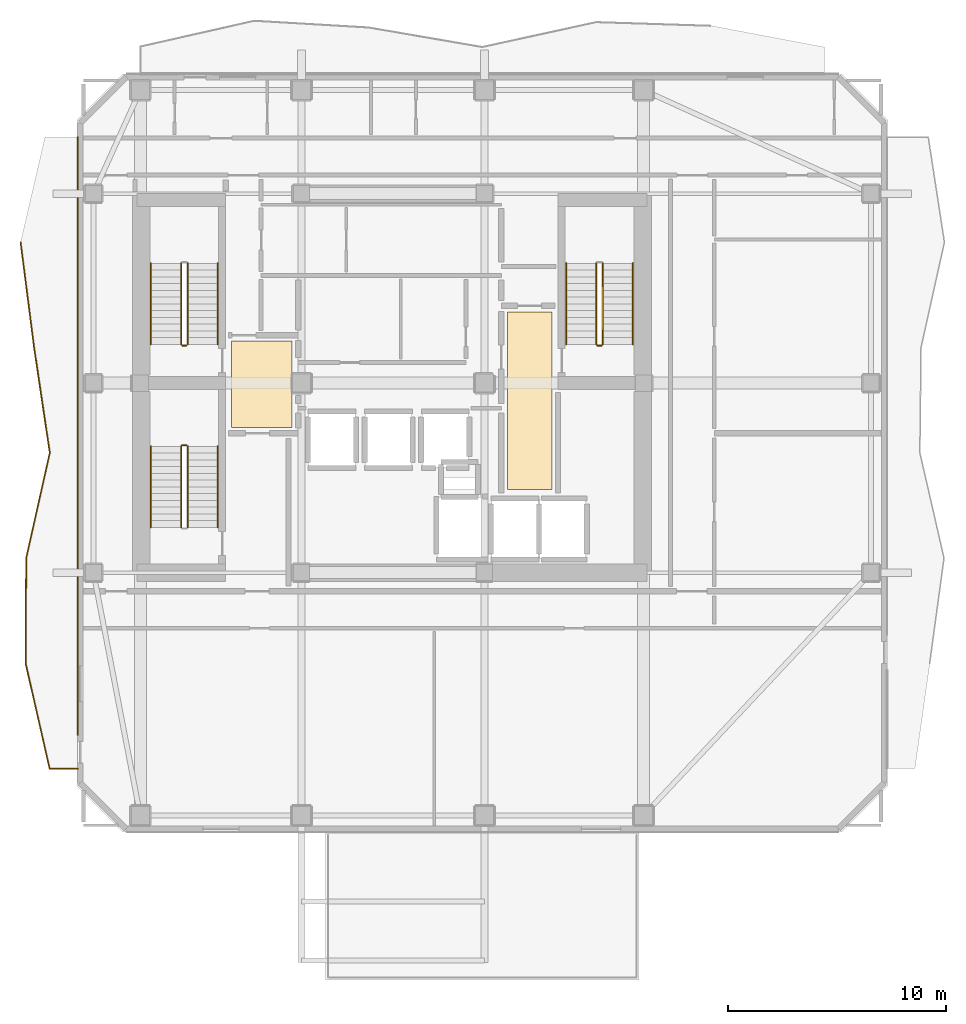
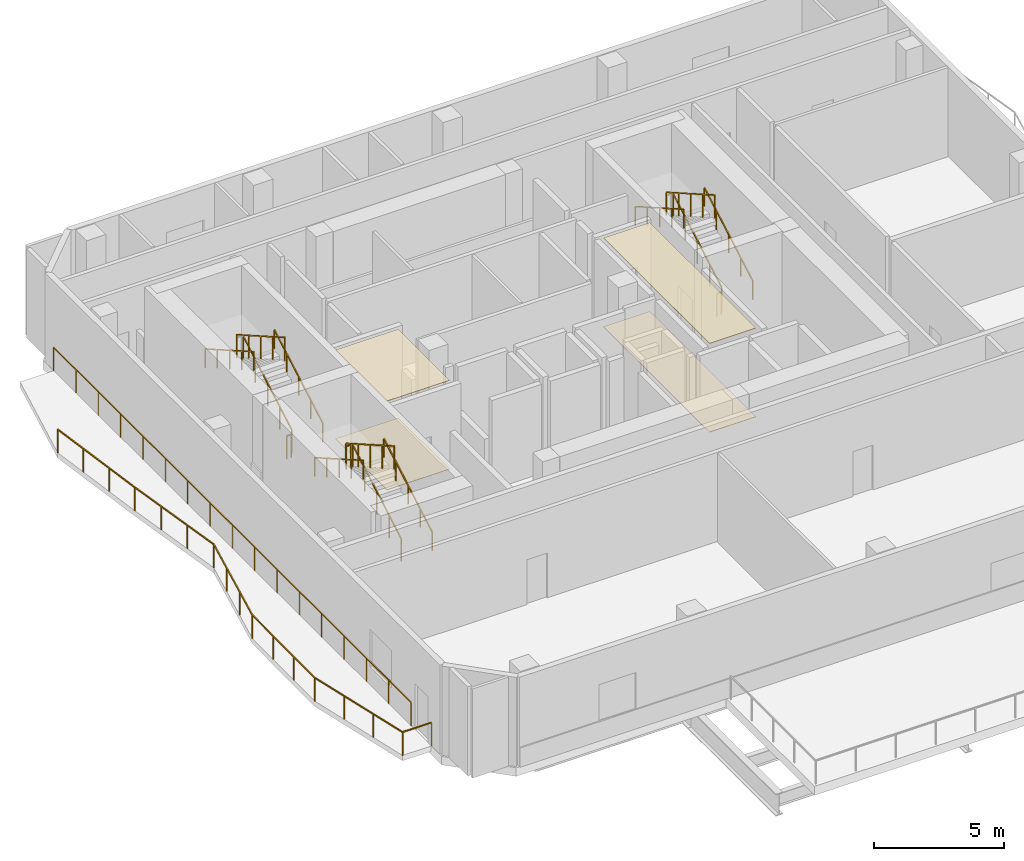
# One storey, part 8 of 10: 17 railings, 4 coverings.
"""IFC4 building model written with IfcOpenShell, lengths in metres."""

from ifc_helpers import new_model, si_unit, direction, frame, origin, origin_2d, place, context, subcontext, project, spatial, polyline, rectangle, outline, extrude, material, layer, layer_set, type_object, element, save


model = new_model("IFC4")

# Units and contexts
model_context = context("Model", 3, precision=1e-05, world=origin(), true_north=direction((0.0, 1.0)))
body_context = subcontext(model_context, "Body", "Model", "MODEL_VIEW")
ifc_project = project(units=[si_unit("LENGTHUNIT", "METRE"), si_unit("AREAUNIT", "SQUARE_METRE"), si_unit("VOLUMEUNIT", "CUBIC_METRE"), si_unit("PLANEANGLEUNIT", "RADIAN"), si_unit("MASSUNIT", "GRAM", prefix="KILO")], contexts=[model_context])

# Site, building, storey
site_placement = place(None, origin())
site = spatial("IfcSite", under=ifc_project, at=site_placement, CompositionType="ELEMENT")
building_placement = place(site_placement, origin())
building = spatial("IfcBuilding", under=site, at=building_placement, Name="Solanera Arch Residences", CompositionType="ELEMENT")
storey_placement = place(building_placement, frame((0.0, 0.0, 226.679931640625)))
storey = spatial("IfcBuildingStorey", under=building, at=storey_placement, Name="L66", CompositionType="ELEMENT", Elevation=226.679931640625)

# Railings
ifc_material_1 = material(Name="Steel S355 (ASTM A992 / A572 Grade 50)", Category="steel")
railing_type_1 = type_object("IfcRailingType", Name="Balustrade Railing BL-1100", PredefinedType="BALUSTRADE", material=ifc_material_1)
railing_1_placement = place(storey_placement, frame((7.90087890625, 37.1669921875, 0.0)))
element("IfcRailing", 1, at=railing_1_placement, inside=storey, type_object=railing_type_1, Name="L66 W Balcony Balustrade 1", PredefinedType="BALUSTRADE", context=body_context, shape_type="SweptSolid", body=[
    extrude(rectangle(XDim=0.048095703125, YDim=0.048095703125, at=origin_2d()), frame((0.0, 0.0, 1.09619140625), z_axis=(0.127634375771, -0.991821287391, 0.0), x_axis=(0.991821287391, 0.127634375771, 0.0)), (0.0, 0.0, 1.0), 4.873779296875),
    extrude(rectangle(XDim=0.048095703125, YDim=0.048095703125, at=origin_2d()), frame((0.6220703125, -4.833984375, 1.09619140625), z_axis=(0.147343542782, -0.989085375688, 0.0), x_axis=(0.989085375688, 0.147343542782, 0.0)), (0.0, 0.0, 1.0), 4.88623046875),
    extrude(rectangle(XDim=0.048095703125, YDim=0.048095703125, at=origin_2d()), frame((1.342041015625, -9.6669921875, 1.09619140625), z_axis=(-0.219038342307, -0.975716252094, 0.0), x_axis=(0.975716252094, -0.219038342307, 0.0)), (0.0, 0.0, 1.0), 4.953369140625),
    extrude(rectangle(XDim=0.048095703125, YDim=0.048095703125, at=origin_2d()), frame((0.257080078125, -14.5, 1.09619140625), z_axis=(-0.004747421248, -0.999988730932, 0.0), x_axis=(0.999988730932, -0.004747421248, 0.0)), (0.0, 0.0, 1.0), 4.833984375),
    extrude(rectangle(XDim=0.048095703125, YDim=0.048095703125, at=origin_2d()), frame((0.234130859375, -19.333984375, 1.09619140625), z_axis=(0.221944686572, -0.975059257739, 0.0), x_axis=(0.975059257739, 0.221944686572, 0.0)), (0.0, 0.0, 1.0), 4.95654296875),
    extrude(rectangle(XDim=0.048095703125, YDim=0.048095703125, at=origin_2d()), frame((1.334228515625, -24.1669921875, 1.09619140625), z_axis=(1.0, 0.0, 0.0), x_axis=(0.0, 1.0, 0.0)), (0.0, 0.0, 1.0), 1.284912109375),
    extrude(rectangle(XDim=0.0419921875, YDim=0.0419921875, at=origin_2d()), origin(), (0.0, 0.0, 1.0), 1.072021484375),
    extrude(rectangle(XDim=0.0419921875, YDim=0.0419921875, at=origin_2d()), frame((0.207275390625, -1.611328125, 0.0)), (0.0, 0.0, 1.0), 1.072021484375),
    extrude(rectangle(XDim=0.0419921875, YDim=0.0419921875, at=origin_2d()), frame((0.414794921875, -3.22265625, 0.0)), (0.0, 0.0, 1.0), 1.072021484375),
    extrude(rectangle(XDim=0.0419921875, YDim=0.0419921875, at=origin_2d()), frame((0.6220703125, -4.833984375, 0.0)), (0.0, 0.0, 1.0), 1.072021484375),
    extrude(rectangle(XDim=0.0419921875, YDim=0.0419921875, at=origin_2d()), frame((0.862060546875, -6.445068359375, 0.0)), (0.0, 0.0, 1.0), 1.072021484375),
    extrude(rectangle(XDim=0.0419921875, YDim=0.0419921875, at=origin_2d()), frame((1.10205078125, -8.055908203125, 0.0)), (0.0, 0.0, 1.0), 1.072021484375),
    extrude(rectangle(XDim=0.0419921875, YDim=0.0419921875, at=origin_2d()), frame((1.342041015625, -9.6669921875, 0.0)), (0.0, 0.0, 1.0), 1.072021484375),
    extrude(rectangle(XDim=0.0419921875, YDim=0.0419921875, at=origin_2d()), frame((0.98046875, -11.278076171875, 0.0)), (0.0, 0.0, 1.0), 1.072021484375),
    extrude(rectangle(XDim=0.0419921875, YDim=0.0419921875, at=origin_2d()), frame((0.61865234375, -12.888916015625, 0.0)), (0.0, 0.0, 1.0), 1.072021484375),
    extrude(rectangle(XDim=0.0419921875, YDim=0.0419921875, at=origin_2d()), frame((0.257080078125, -14.5, 0.0)), (0.0, 0.0, 1.0), 1.072021484375),
    extrude(rectangle(XDim=0.0419921875, YDim=0.0419921875, at=origin_2d()), frame((0.24951171875, -16.111328125, 0.0)), (0.0, 0.0, 1.0), 1.072021484375),
    extrude(rectangle(XDim=0.0419921875, YDim=0.0419921875, at=origin_2d()), frame((0.24169921875, -17.72265625, 0.0)), (0.0, 0.0, 1.0), 1.072021484375),
    extrude(rectangle(XDim=0.0419921875, YDim=0.0419921875, at=origin_2d()), frame((0.234130859375, -19.333984375, 0.0)), (0.0, 0.0, 1.0), 1.072021484375),
    extrude(rectangle(XDim=0.0419921875, YDim=0.0419921875, at=origin_2d()), frame((0.600830078125, -20.945068359375, 0.0)), (0.0, 0.0, 1.0), 1.072021484375),
    extrude(rectangle(XDim=0.0419921875, YDim=0.0419921875, at=origin_2d()), frame((0.967529296875, -22.555908203125, 0.0)), (0.0, 0.0, 1.0), 1.072021484375),
    extrude(rectangle(XDim=0.0419921875, YDim=0.0419921875, at=origin_2d()), frame((1.334228515625, -24.1669921875, 0.0)), (0.0, 0.0, 1.0), 1.072021484375),
    extrude(rectangle(XDim=0.0419921875, YDim=0.0419921875, at=origin_2d()), frame((2.619140625, -24.1669921875, 0.0)), (0.0, 0.0, 1.0), 1.072021484375),
])
railing_2_placement = place(storey_placement, frame((10.52001953125, 14.554931640625, 0.0)))
element("IfcRailing", 2, at=railing_2_placement, inside=storey, type_object=railing_type_1, Name="L66 W Balcony Balustrade 2", PredefinedType="BALUSTRADE", context=body_context, shape_type="SweptSolid", body=[
    extrude(rectangle(XDim=0.048095703125, YDim=0.048095703125, at=origin_2d()), frame((0.0, 0.0, 1.09619140625), z_axis=(0.0, 1.0, 0.0), x_axis=(-1.0, 0.0, 0.0)), (0.0, 0.0, 1.0), 27.445068359375),
    extrude(rectangle(XDim=0.0419921875, YDim=0.0419921875, at=origin_2d()), origin(), (0.0, 0.0, 1.0), 1.072021484375),
    extrude(rectangle(XDim=0.0419921875, YDim=0.0419921875, at=origin_2d()), frame((0.0, 1.71533203125, 0.0)), (0.0, 0.0, 1.0), 1.072021484375),
    extrude(rectangle(XDim=0.0419921875, YDim=0.0419921875, at=origin_2d()), frame((0.0, 3.4306640625, 0.0)), (0.0, 0.0, 1.0), 1.072021484375),
    extrude(rectangle(XDim=0.0419921875, YDim=0.0419921875, at=origin_2d()), frame((0.0, 5.14599609375, 0.0)), (0.0, 0.0, 1.0), 1.072021484375),
    extrude(rectangle(XDim=0.0419921875, YDim=0.0419921875, at=origin_2d()), frame((0.0, 6.861328125, 0.0)), (0.0, 0.0, 1.0), 1.072021484375),
    extrude(rectangle(XDim=0.0419921875, YDim=0.0419921875, at=origin_2d()), frame((0.0, 8.57666015625, 0.0)), (0.0, 0.0, 1.0), 1.072021484375),
    extrude(rectangle(XDim=0.0419921875, YDim=0.0419921875, at=origin_2d()), frame((0.0, 10.2919921875, 0.0)), (0.0, 0.0, 1.0), 1.072021484375),
    extrude(rectangle(XDim=0.0419921875, YDim=0.0419921875, at=origin_2d()), frame((0.0, 12.00732421875, 0.0)), (0.0, 0.0, 1.0), 1.072021484375),
    extrude(rectangle(XDim=0.0419921875, YDim=0.0419921875, at=origin_2d()), frame((0.0, 13.72265625, 0.0)), (0.0, 0.0, 1.0), 1.072021484375),
    extrude(rectangle(XDim=0.0419921875, YDim=0.0419921875, at=origin_2d()), frame((0.0, 15.437744140625, 0.0)), (0.0, 0.0, 1.0), 1.072021484375),
    extrude(rectangle(XDim=0.0419921875, YDim=0.0419921875, at=origin_2d()), frame((0.0, 17.153076171875, 0.0)), (0.0, 0.0, 1.0), 1.072021484375),
    extrude(rectangle(XDim=0.0419921875, YDim=0.0419921875, at=origin_2d()), frame((0.0, 18.868408203125, 0.0)), (0.0, 0.0, 1.0), 1.072021484375),
    extrude(rectangle(XDim=0.0419921875, YDim=0.0419921875, at=origin_2d()), frame((0.0, 20.583740234375, 0.0)), (0.0, 0.0, 1.0), 1.072021484375),
    extrude(rectangle(XDim=0.0419921875, YDim=0.0419921875, at=origin_2d()), frame((0.0, 22.299072265625, 0.0)), (0.0, 0.0, 1.0), 1.072021484375),
    extrude(rectangle(XDim=0.0419921875, YDim=0.0419921875, at=origin_2d()), frame((0.0, 24.014404296875, 0.0)), (0.0, 0.0, 1.0), 1.072021484375),
    extrude(rectangle(XDim=0.0419921875, YDim=0.0419921875, at=origin_2d()), frame((0.0, 25.729736328125, 0.0)), (0.0, 0.0, 1.0), 1.072021484375),
    extrude(rectangle(XDim=0.0419921875, YDim=0.0419921875, at=origin_2d()), frame((0.0, 27.445068359375, 0.0)), (0.0, 0.0, 1.0), 1.072021484375),
])

# Coverings
ifc_material_2 = material(Name="Porcelain Acoustic Floor Tile", Category="ceramic")
ifc_layer_1 = layer(ifc_material_2, 0.02001953125)
ifc_layer_set_1 = layer_set([ifc_layer_1], Name="Porcelain Acoustic Floor Tile")
covering_type_1 = type_object("IfcCoveringType", Name="Porcelain Acoustic Floor Finish FLR-20", PredefinedType="FLOORING", material=ifc_layer_set_1)
covering_1_placement = place(storey_placement, origin())
element("IfcCovering", 3, at=covering_1_placement, inside=storey, type_object=covering_type_1, Name="L66-FFL-W Porcelain Floor Finish", PredefinedType="FLOORING", context=body_context, shape_type="SweptSolid", body=[
    extrude(outline(polyline([(20.375, 28.675048828125), (17.594970703125, 28.675048828125), (17.594970703125, 32.625), (20.375, 32.625), (20.375, 28.675048828125)])), origin(), (0.0, 0.0, 1.0), 0.02001953125),
])
covering_2_placement = place(storey_placement, origin())
element("IfcCovering", 4, at=covering_2_placement, inside=storey, type_object=covering_type_1, Name="L66-FFL-E Porcelain Floor Finish", PredefinedType="FLOORING", context=body_context, shape_type="SweptSolid", body=[
    extrude(outline(polyline([(32.304931640625, 25.824951171875), (30.25, 25.824951171875), (30.25, 33.97509765625), (32.304931640625, 33.97509765625), (32.304931640625, 25.824951171875)])), origin(), (0.0, 0.0, 1.0), 0.02001953125),
])

# Railings
ifc_material_3 = material(Name="Steel S355 (ASTM A992 / A572 Grade 50)", Category="steel")
railing_type_2 = type_object("IfcRailingType", Name="Stair Guardrail GR-1100", PredefinedType="GUARDRAIL", material=ifc_material_3)
railing_3_placement = place(storey_placement, frame((15.570068359375, 32.47998046875, 0.161865234375)))
element("IfcRailing", 5, at=railing_3_placement, inside=storey, type_object=railing_type_2, Name="L66 ST-T1 stair guard 1", PredefinedType="GUARDRAIL", context=body_context, shape_type="SweptSolid", body=[
    extrude(rectangle(XDim=0.048095703125, YDim=0.048095703125, at=origin_2d()), frame((0.0, 0.0, 1.076171875), z_axis=(0.0, 0.868485062918, 0.495715337153), x_axis=(-1.0, 0.0, 0.0)), (0.0, 0.0, 1.0), 4.283203125),
    extrude(rectangle(XDim=0.0419921875, YDim=0.0419921875, at=origin_2d()), origin(), (0.0, 0.0, 1.0), 1.052001953125),
    extrude(rectangle(XDim=0.0419921875, YDim=0.0419921875, at=origin_2d()), frame((0.0, 0.929931640625, 0.53076171875)), (0.0, 0.0, 1.0), 1.052001953125),
    extrude(rectangle(XDim=0.0419921875, YDim=0.0419921875, at=origin_2d()), frame((0.0, 1.85986328125, 1.0615234375)), (0.0, 0.0, 1.0), 1.052001953125),
    extrude(rectangle(XDim=0.0419921875, YDim=0.0419921875, at=origin_2d()), frame((0.0, 2.7900390625, 1.592529296875)), (0.0, 0.0, 1.0), 1.052001953125),
    extrude(rectangle(XDim=0.0419921875, YDim=0.0419921875, at=origin_2d()), frame((0.0, 3.719970703125, 2.123291015625)), (0.0, 0.0, 1.0), 1.052001953125),
])
railing_4_placement = place(storey_placement, frame((15.27001953125, 36.199951171875, 2.4619140625)))
element("IfcRailing", 6, at=railing_4_placement, inside=storey, type_object=railing_type_2, Name="L66 ST-T1 stair guard 3", PredefinedType="GUARDRAIL", context=body_context, shape_type="SweptSolid", body=[
    extrude(rectangle(XDim=0.048095703125, YDim=0.048095703125, at=origin_2d()), frame((0.0, 0.0, 1.076171875), z_axis=(0.0, -0.868509601589, 0.495672343336), x_axis=(1.0, 0.0, 0.0)), (0.0, 0.0, 1.0), 4.283203125),
    extrude(rectangle(XDim=0.0419921875, YDim=0.0419921875, at=origin_2d()), origin(), (0.0, 0.0, 1.0), 1.052001953125),
    extrude(rectangle(XDim=0.0419921875, YDim=0.0419921875, at=origin_2d()), frame((0.0, -0.929931640625, 0.53076171875)), (0.0, 0.0, 1.0), 1.052001953125),
    extrude(rectangle(XDim=0.0419921875, YDim=0.0419921875, at=origin_2d()), frame((0.0, -1.85986328125, 1.0615234375)), (0.0, 0.0, 1.0), 1.052001953125),
    extrude(rectangle(XDim=0.0419921875, YDim=0.0419921875, at=origin_2d()), frame((0.0, -2.7900390625, 1.59228515625)), (0.0, 0.0, 1.0), 1.052001953125),
    extrude(rectangle(XDim=0.0419921875, YDim=0.0419921875, at=origin_2d()), frame((0.0, -3.719970703125, 2.123046875)), (0.0, 0.0, 1.0), 1.052001953125),
])
railing_5_placement = place(storey_placement, frame((15.52001953125, 32.429931640625, -0.014892578125)))
element("IfcRailing", 7, at=railing_5_placement, inside=storey, type_object=railing_type_2, Name="L66 ST-T1 stair guard 4", PredefinedType="GUARDRAIL", context=body_context, shape_type="SweptSolid", body=[
    extrude(rectangle(XDim=0.048095703125, YDim=0.048095703125, at=origin_2d()), frame((0.0, 0.0, 1.076171875), z_axis=(-1.0, 0.0, 0.0), x_axis=(0.0, -1.0, 0.0)), (0.0, 0.0, 1.0), 0.199951171875),
    extrude(rectangle(XDim=0.0419921875, YDim=0.0419921875, at=origin_2d()), origin(), (0.0, 0.0, 1.0), 1.052001953125),
    extrude(rectangle(XDim=0.0419921875, YDim=0.0419921875, at=origin_2d()), frame((-0.199951171875, 0.0, 0.0)), (0.0, 0.0, 1.0), 1.052001953125),
])
railing_6_placement = place(storey_placement, frame((34.6298828125, 32.47998046875, 0.161865234375)))
element("IfcRailing", 8, at=railing_6_placement, inside=storey, type_object=railing_type_2, Name="L66 ST-T2 stair guard 1", PredefinedType="GUARDRAIL", context=body_context, shape_type="SweptSolid", body=[
    extrude(rectangle(XDim=0.048095703125, YDim=0.048095703125, at=origin_2d()), frame((0.0, 0.0, 1.076171875), z_axis=(0.0, 0.868485062918, 0.495715337153), x_axis=(-1.0, 0.0, 0.0)), (0.0, 0.0, 1.0), 4.283203125),
    extrude(rectangle(XDim=0.0419921875, YDim=0.0419921875, at=origin_2d()), origin(), (0.0, 0.0, 1.0), 1.052001953125),
    extrude(rectangle(XDim=0.0419921875, YDim=0.0419921875, at=origin_2d()), frame((0.0, 0.929931640625, 0.53076171875)), (0.0, 0.0, 1.0), 1.052001953125),
    extrude(rectangle(XDim=0.0419921875, YDim=0.0419921875, at=origin_2d()), frame((0.0, 1.85986328125, 1.0615234375)), (0.0, 0.0, 1.0), 1.052001953125),
    extrude(rectangle(XDim=0.0419921875, YDim=0.0419921875, at=origin_2d()), frame((0.0, 2.7900390625, 1.592529296875)), (0.0, 0.0, 1.0), 1.052001953125),
    extrude(rectangle(XDim=0.0419921875, YDim=0.0419921875, at=origin_2d()), frame((0.0, 3.719970703125, 2.123291015625)), (0.0, 0.0, 1.0), 1.052001953125),
])
railing_7_placement = place(storey_placement, frame((34.330078125, 36.199951171875, 2.4619140625)))
element("IfcRailing", 9, at=railing_7_placement, inside=storey, type_object=railing_type_2, Name="L66 ST-T2 stair guard 3", PredefinedType="GUARDRAIL", context=body_context, shape_type="SweptSolid", body=[
    extrude(rectangle(XDim=0.048095703125, YDim=0.048095703125, at=origin_2d()), frame((0.0, 0.0, 1.076171875), z_axis=(0.0, -0.868509601589, 0.495672343336), x_axis=(1.0, 0.0, 0.0)), (0.0, 0.0, 1.0), 4.283203125),
    extrude(rectangle(XDim=0.0419921875, YDim=0.0419921875, at=origin_2d()), origin(), (0.0, 0.0, 1.0), 1.052001953125),
    extrude(rectangle(XDim=0.0419921875, YDim=0.0419921875, at=origin_2d()), frame((0.0, -0.929931640625, 0.53076171875)), (0.0, 0.0, 1.0), 1.052001953125),
    extrude(rectangle(XDim=0.0419921875, YDim=0.0419921875, at=origin_2d()), frame((0.0, -1.85986328125, 1.0615234375)), (0.0, 0.0, 1.0), 1.052001953125),
    extrude(rectangle(XDim=0.0419921875, YDim=0.0419921875, at=origin_2d()), frame((0.0, -2.7900390625, 1.59228515625)), (0.0, 0.0, 1.0), 1.052001953125),
    extrude(rectangle(XDim=0.0419921875, YDim=0.0419921875, at=origin_2d()), frame((0.0, -3.719970703125, 2.123046875)), (0.0, 0.0, 1.0), 1.052001953125),
])
railing_8_placement = place(storey_placement, frame((34.580078125, 32.429931640625, -0.014892578125)))
element("IfcRailing", 10, at=railing_8_placement, inside=storey, type_object=railing_type_2, Name="L66 ST-T2 stair guard 4", PredefinedType="GUARDRAIL", context=body_context, shape_type="SweptSolid", body=[
    extrude(rectangle(XDim=0.048095703125, YDim=0.048095703125, at=origin_2d()), frame((0.0, 0.0, 1.076171875), z_axis=(-1.0, 0.0, 0.0), x_axis=(0.0, -1.0, 0.0)), (0.0, 0.0, 1.0), 0.2001953125),
    extrude(rectangle(XDim=0.0419921875, YDim=0.0419921875, at=origin_2d()), origin(), (0.0, 0.0, 1.0), 1.052001953125),
    extrude(rectangle(XDim=0.0419921875, YDim=0.0419921875, at=origin_2d()), frame((-0.2001953125, 0.0, 0.0)), (0.0, 0.0, 1.0), 1.052001953125),
])
railing_9_placement = place(storey_placement, frame((15.570068359375, 24.080078125, 0.161865234375)))
element("IfcRailing", 11, at=railing_9_placement, inside=storey, type_object=railing_type_2, Name="L66 ST-T3 stair guard 1", PredefinedType="GUARDRAIL", context=body_context, shape_type="SweptSolid", body=[
    extrude(rectangle(XDim=0.048095703125, YDim=0.048095703125, at=origin_2d()), frame((0.0, 0.0, 1.076171875), z_axis=(0.0, 0.868485062918, 0.495715337153), x_axis=(-1.0, 0.0, 0.0)), (0.0, 0.0, 1.0), 4.283203125),
    extrude(rectangle(XDim=0.0419921875, YDim=0.0419921875, at=origin_2d()), origin(), (0.0, 0.0, 1.0), 1.052001953125),
    extrude(rectangle(XDim=0.0419921875, YDim=0.0419921875, at=origin_2d()), frame((0.0, 0.929931640625, 0.53076171875)), (0.0, 0.0, 1.0), 1.052001953125),
    extrude(rectangle(XDim=0.0419921875, YDim=0.0419921875, at=origin_2d()), frame((0.0, 1.85986328125, 1.0615234375)), (0.0, 0.0, 1.0), 1.052001953125),
    extrude(rectangle(XDim=0.0419921875, YDim=0.0419921875, at=origin_2d()), frame((0.0, 2.7900390625, 1.592529296875)), (0.0, 0.0, 1.0), 1.052001953125),
    extrude(rectangle(XDim=0.0419921875, YDim=0.0419921875, at=origin_2d()), frame((0.0, 3.719970703125, 2.123291015625)), (0.0, 0.0, 1.0), 1.052001953125),
])
railing_10_placement = place(storey_placement, frame((15.52001953125, 27.85009765625, 2.28515625)))
element("IfcRailing", 12, at=railing_10_placement, inside=storey, type_object=railing_type_2, Name="L66 ST-T3 stair guard 2", PredefinedType="GUARDRAIL", context=body_context, shape_type="SweptSolid", body=[
    extrude(rectangle(XDim=0.048095703125, YDim=0.048095703125, at=origin_2d()), frame((0.0, 0.0, 1.076171875), z_axis=(-1.0, 0.0, 0.0), x_axis=(0.0, -1.0, 0.0)), (0.0, 0.0, 1.0), 0.199951171875),
    extrude(rectangle(XDim=0.0419921875, YDim=0.0419921875, at=origin_2d()), origin(), (0.0, 0.0, 1.0), 1.052001953125),
    extrude(rectangle(XDim=0.0419921875, YDim=0.0419921875, at=origin_2d()), frame((-0.199951171875, 0.0, 0.0)), (0.0, 0.0, 1.0), 1.052001953125),
])
railing_11_placement = place(storey_placement, frame((15.27001953125, 27.800048828125, 2.4619140625)))
element("IfcRailing", 13, at=railing_11_placement, inside=storey, type_object=railing_type_2, Name="L66 ST-T3 stair guard 3", PredefinedType="GUARDRAIL", context=body_context, shape_type="SweptSolid", body=[
    extrude(rectangle(XDim=0.048095703125, YDim=0.048095703125, at=origin_2d()), frame((0.0, 0.0, 1.076171875), z_axis=(0.0, -0.868509601589, 0.495672343336), x_axis=(1.0, 0.0, 0.0)), (0.0, 0.0, 1.0), 4.283203125),
    extrude(rectangle(XDim=0.0419921875, YDim=0.0419921875, at=origin_2d()), origin(), (0.0, 0.0, 1.0), 1.052001953125),
    extrude(rectangle(XDim=0.0419921875, YDim=0.0419921875, at=origin_2d()), frame((0.0, -0.929931640625, 0.53076171875)), (0.0, 0.0, 1.0), 1.052001953125),
    extrude(rectangle(XDim=0.0419921875, YDim=0.0419921875, at=origin_2d()), frame((0.0, -1.85986328125, 1.0615234375)), (0.0, 0.0, 1.0), 1.052001953125),
    extrude(rectangle(XDim=0.0419921875, YDim=0.0419921875, at=origin_2d()), frame((0.0, -2.7900390625, 1.59228515625)), (0.0, 0.0, 1.0), 1.052001953125),
    extrude(rectangle(XDim=0.0419921875, YDim=0.0419921875, at=origin_2d()), frame((0.0, -3.719970703125, 2.123046875)), (0.0, 0.0, 1.0), 1.052001953125),
])
ifc_material_4 = material(Name="Steel S355 (ASTM A992 / A572 Grade 50)", Category="steel")
railing_type_3 = type_object("IfcRailingType", Name="Stair Wall Handrail HR-920", PredefinedType="HANDRAIL", material=ifc_material_4)
railing_12_placement = place(storey_placement, frame((16.949951171875, 32.47998046875, 0.177001953125)))
element("IfcRailing", 14, at=railing_12_placement, inside=storey, type_object=railing_type_3, Name="L66 ST-T1 stair handrail 1", PredefinedType="HANDRAIL", context=body_context, shape_type="SweptSolid", body=[
    extrude(rectangle(XDim=0.048095703125, YDim=0.048095703125, at=origin_2d()), frame((0.0, 0.0, 0.8759765625), z_axis=(0.0, 0.868509601589, 0.495672343336), x_axis=(-1.0, 0.0, 0.0)), (0.0, 0.0, 1.0), 4.283203125),
    extrude(rectangle(XDim=0.0419921875, YDim=0.0419921875, at=origin_2d()), origin(), (0.0, 0.0, 1.0), 0.851806640625),
    extrude(rectangle(XDim=0.0419921875, YDim=0.0419921875, at=origin_2d()), frame((0.0, 0.929931640625, 0.53076171875)), (0.0, 0.0, 1.0), 0.851806640625),
    extrude(rectangle(XDim=0.0419921875, YDim=0.0419921875, at=origin_2d()), frame((0.0, 1.85986328125, 1.0615234375)), (0.0, 0.0, 1.0), 0.851806640625),
    extrude(rectangle(XDim=0.0419921875, YDim=0.0419921875, at=origin_2d()), frame((0.0, 2.7900390625, 1.59228515625)), (0.0, 0.0, 1.0), 0.851806640625),
    extrude(rectangle(XDim=0.0419921875, YDim=0.0419921875, at=origin_2d()), frame((0.0, 3.719970703125, 2.123046875)), (0.0, 0.0, 1.0), 0.851806640625),
])
railing_13_placement = place(storey_placement, frame((13.889892578125, 36.199951171875, 2.47705078125)))
element("IfcRailing", 15, at=railing_13_placement, inside=storey, type_object=railing_type_3, Name="L66 ST-T1 stair handrail 2", PredefinedType="HANDRAIL", context=body_context, shape_type="SweptSolid", body=[
    extrude(rectangle(XDim=0.048095703125, YDim=0.048095703125, at=origin_2d()), frame((0.0, 0.0, 0.8759765625), z_axis=(0.0, -0.868509601589, 0.495672343336), x_axis=(1.0, 0.0, 0.0)), (0.0, 0.0, 1.0), 4.283203125),
    extrude(rectangle(XDim=0.0419921875, YDim=0.0419921875, at=origin_2d()), origin(), (0.0, 0.0, 1.0), 0.851806640625),
    extrude(rectangle(XDim=0.0419921875, YDim=0.0419921875, at=origin_2d()), frame((0.0, -0.929931640625, 0.53076171875)), (0.0, 0.0, 1.0), 0.851806640625),
    extrude(rectangle(XDim=0.0419921875, YDim=0.0419921875, at=origin_2d()), frame((0.0, -1.85986328125, 1.0615234375)), (0.0, 0.0, 1.0), 0.851806640625),
    extrude(rectangle(XDim=0.0419921875, YDim=0.0419921875, at=origin_2d()), frame((0.0, -2.7900390625, 1.59228515625)), (0.0, 0.0, 1.0), 0.851806640625),
    extrude(rectangle(XDim=0.0419921875, YDim=0.0419921875, at=origin_2d()), frame((0.0, -3.719970703125, 2.123046875)), (0.0, 0.0, 1.0), 0.851806640625),
])
railing_14_placement = place(storey_placement, frame((36.010009765625, 32.47998046875, 0.177001953125)))
element("IfcRailing", 16, at=railing_14_placement, inside=storey, type_object=railing_type_3, Name="L66 ST-T2 stair handrail 1", PredefinedType="HANDRAIL", context=body_context, shape_type="SweptSolid", body=[
    extrude(rectangle(XDim=0.048095703125, YDim=0.048095703125, at=origin_2d()), frame((0.0, 0.0, 0.8759765625), z_axis=(0.0, 0.868509601589, 0.495672343336), x_axis=(-1.0, 0.0, 0.0)), (0.0, 0.0, 1.0), 4.283203125),
    extrude(rectangle(XDim=0.0419921875, YDim=0.0419921875, at=origin_2d()), origin(), (0.0, 0.0, 1.0), 0.851806640625),
    extrude(rectangle(XDim=0.0419921875, YDim=0.0419921875, at=origin_2d()), frame((0.0, 0.929931640625, 0.53076171875)), (0.0, 0.0, 1.0), 0.851806640625),
    extrude(rectangle(XDim=0.0419921875, YDim=0.0419921875, at=origin_2d()), frame((0.0, 1.85986328125, 1.0615234375)), (0.0, 0.0, 1.0), 0.851806640625),
    extrude(rectangle(XDim=0.0419921875, YDim=0.0419921875, at=origin_2d()), frame((0.0, 2.7900390625, 1.59228515625)), (0.0, 0.0, 1.0), 0.851806640625),
    extrude(rectangle(XDim=0.0419921875, YDim=0.0419921875, at=origin_2d()), frame((0.0, 3.719970703125, 2.123046875)), (0.0, 0.0, 1.0), 0.851806640625),
])
railing_15_placement = place(storey_placement, frame((32.949951171875, 36.199951171875, 2.47705078125)))
element("IfcRailing", 17, at=railing_15_placement, inside=storey, type_object=railing_type_3, Name="L66 ST-T2 stair handrail 2", PredefinedType="HANDRAIL", context=body_context, shape_type="SweptSolid", body=[
    extrude(rectangle(XDim=0.048095703125, YDim=0.048095703125, at=origin_2d()), frame((0.0, 0.0, 0.8759765625), z_axis=(0.0, -0.868509601589, 0.495672343336), x_axis=(1.0, 0.0, 0.0)), (0.0, 0.0, 1.0), 4.283203125),
    extrude(rectangle(XDim=0.0419921875, YDim=0.0419921875, at=origin_2d()), origin(), (0.0, 0.0, 1.0), 0.851806640625),
    extrude(rectangle(XDim=0.0419921875, YDim=0.0419921875, at=origin_2d()), frame((0.0, -0.929931640625, 0.53076171875)), (0.0, 0.0, 1.0), 0.851806640625),
    extrude(rectangle(XDim=0.0419921875, YDim=0.0419921875, at=origin_2d()), frame((0.0, -1.85986328125, 1.0615234375)), (0.0, 0.0, 1.0), 0.851806640625),
    extrude(rectangle(XDim=0.0419921875, YDim=0.0419921875, at=origin_2d()), frame((0.0, -2.7900390625, 1.59228515625)), (0.0, 0.0, 1.0), 0.851806640625),
    extrude(rectangle(XDim=0.0419921875, YDim=0.0419921875, at=origin_2d()), frame((0.0, -3.719970703125, 2.123046875)), (0.0, 0.0, 1.0), 0.851806640625),
])
railing_16_placement = place(storey_placement, frame((16.949951171875, 24.080078125, 0.177001953125)))
element("IfcRailing", 18, at=railing_16_placement, inside=storey, type_object=railing_type_3, Name="L66 ST-T3 stair handrail 1", PredefinedType="HANDRAIL", context=body_context, shape_type="SweptSolid", body=[
    extrude(rectangle(XDim=0.048095703125, YDim=0.048095703125, at=origin_2d()), frame((0.0, 0.0, 0.8759765625), z_axis=(0.0, 0.868509601589, 0.495672343336), x_axis=(-1.0, 0.0, 0.0)), (0.0, 0.0, 1.0), 4.283203125),
    extrude(rectangle(XDim=0.0419921875, YDim=0.0419921875, at=origin_2d()), origin(), (0.0, 0.0, 1.0), 0.851806640625),
    extrude(rectangle(XDim=0.0419921875, YDim=0.0419921875, at=origin_2d()), frame((0.0, 0.929931640625, 0.53076171875)), (0.0, 0.0, 1.0), 0.851806640625),
    extrude(rectangle(XDim=0.0419921875, YDim=0.0419921875, at=origin_2d()), frame((0.0, 1.85986328125, 1.0615234375)), (0.0, 0.0, 1.0), 0.851806640625),
    extrude(rectangle(XDim=0.0419921875, YDim=0.0419921875, at=origin_2d()), frame((0.0, 2.7900390625, 1.59228515625)), (0.0, 0.0, 1.0), 0.851806640625),
    extrude(rectangle(XDim=0.0419921875, YDim=0.0419921875, at=origin_2d()), frame((0.0, 3.719970703125, 2.123046875)), (0.0, 0.0, 1.0), 0.851806640625),
])
railing_17_placement = place(storey_placement, frame((13.889892578125, 27.800048828125, 2.47705078125)))
element("IfcRailing", 19, at=railing_17_placement, inside=storey, type_object=railing_type_3, Name="L66 ST-T3 stair handrail 2", PredefinedType="HANDRAIL", context=body_context, shape_type="SweptSolid", body=[
    extrude(rectangle(XDim=0.048095703125, YDim=0.048095703125, at=origin_2d()), frame((0.0, 0.0, 0.8759765625), z_axis=(0.0, -0.868509601589, 0.495672343336), x_axis=(1.0, 0.0, 0.0)), (0.0, 0.0, 1.0), 4.283203125),
    extrude(rectangle(XDim=0.0419921875, YDim=0.0419921875, at=origin_2d()), origin(), (0.0, 0.0, 1.0), 0.851806640625),
    extrude(rectangle(XDim=0.0419921875, YDim=0.0419921875, at=origin_2d()), frame((0.0, -0.929931640625, 0.53076171875)), (0.0, 0.0, 1.0), 0.851806640625),
    extrude(rectangle(XDim=0.0419921875, YDim=0.0419921875, at=origin_2d()), frame((0.0, -1.85986328125, 1.0615234375)), (0.0, 0.0, 1.0), 0.851806640625),
    extrude(rectangle(XDim=0.0419921875, YDim=0.0419921875, at=origin_2d()), frame((0.0, -2.7900390625, 1.59228515625)), (0.0, 0.0, 1.0), 0.851806640625),
    extrude(rectangle(XDim=0.0419921875, YDim=0.0419921875, at=origin_2d()), frame((0.0, -3.719970703125, 2.123046875)), (0.0, 0.0, 1.0), 0.851806640625),
])

# Coverings
ifc_material_5 = material(Name="Mineral Fibre Acoustic Ceiling Board", Category="gypsum")
ifc_layer_2 = layer(ifc_material_5, 0.02490234375)
ifc_layer_set_2 = layer_set([ifc_layer_2], Name="Mineral Fibre Acoustic Ceiling Board")
covering_type_2 = type_object("IfcCoveringType", Name="Suspended Acoustic Ceiling Board CLG-25", PredefinedType="CEILING", material=ifc_layer_set_2)
covering_3_placement = place(storey_placement, frame((0.0, 0.0, 4.155029296875)))
element("IfcCovering", 20, at=covering_3_placement, inside=storey, type_object=covering_type_2, Name="L66-FFL-W Acoustic Ceiling", PredefinedType="CEILING", context=body_context, shape_type="SweptSolid", body=[
    extrude(outline(polyline([(20.375, 28.675048828125), (17.594970703125, 28.675048828125), (17.594970703125, 32.625), (20.375, 32.625), (20.375, 28.675048828125)])), origin(), (0.0, 0.0, 1.0), 0.025146484375),
])
covering_4_placement = place(storey_placement, frame((0.0, 0.0, 4.155029296875)))
element("IfcCovering", 21, at=covering_4_placement, inside=storey, type_object=covering_type_2, Name="L66-FFL-E Acoustic Ceiling", PredefinedType="CEILING", context=body_context, shape_type="SweptSolid", body=[
    extrude(outline(polyline([(32.304931640625, 25.824951171875), (30.25, 25.824951171875), (30.25, 33.97509765625), (32.304931640625, 33.97509765625), (32.304931640625, 25.824951171875)])), origin(), (0.0, 0.0, 1.0), 0.025146484375),
])

save(model, "model.ifc")
